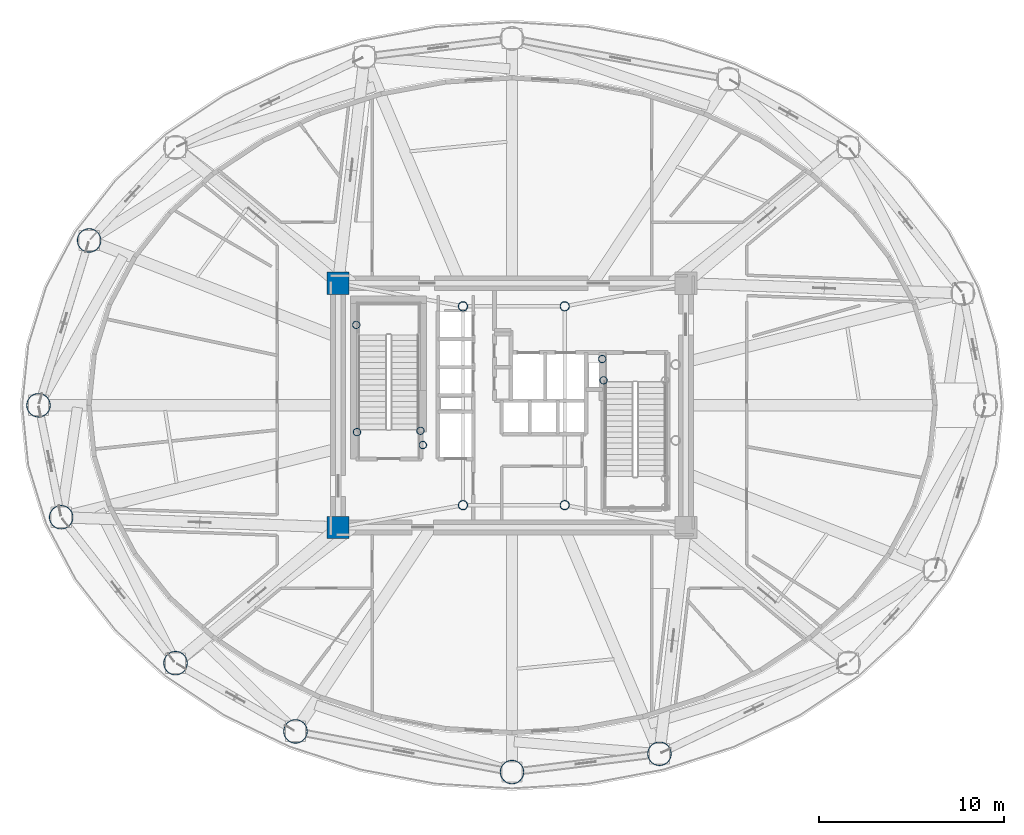
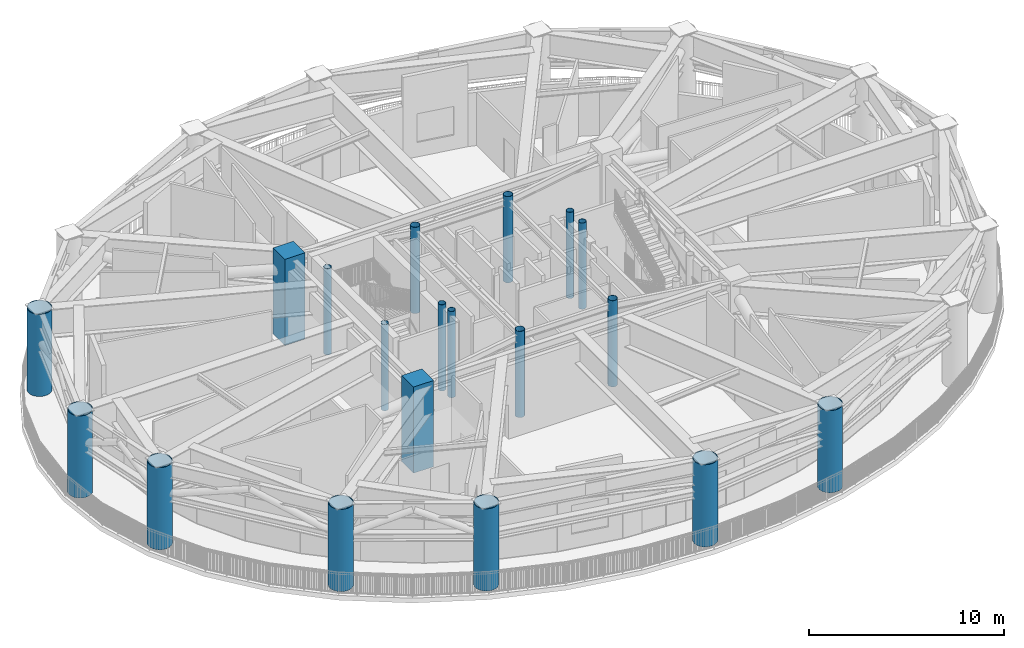
# One storey, part 1 of 20: 19 columns.
"""IFC4 building model written with IfcOpenShell, lengths in metres."""

from ifc_helpers import new_model, si_unit, direction, frame, origin, origin_2d, place, context, subcontext, project, spatial, rectangle, hollow_circle, extrude, material, material_profile, profile_set, type_object, element, save


model = new_model("IFC4")

# Units and contexts
model_context = context("Model", 3, precision=1e-05, world=origin(), true_north=direction((0.0, 1.0)))
body_context = subcontext(model_context, "Body", "Model", "MODEL_VIEW")
ifc_project = project(units=[si_unit("LENGTHUNIT", "METRE"), si_unit("AREAUNIT", "SQUARE_METRE"), si_unit("VOLUMEUNIT", "CUBIC_METRE"), si_unit("PLANEANGLEUNIT", "RADIAN"), si_unit("MASSUNIT", "GRAM", prefix="KILO")], contexts=[model_context])

# Site, building, storey
site_placement = place(None, origin())
site = spatial("IfcSite", under=ifc_project, at=site_placement, CompositionType="ELEMENT")
building_placement = place(site_placement, origin())
building = spatial("IfcBuilding", under=site, at=building_placement, Name="Linh Dai School and Residence Tower", CompositionType="ELEMENT")
storey_placement = place(building_placement, frame((0.0, 0.0, 204.89990234375)))
storey = spatial("IfcBuildingStorey", under=building, at=storey_placement, Name="L50", CompositionType="ELEMENT", Elevation=204.89990234375)

# Columns
ifc_material_1 = material(Name="Concrete B60 (C50/60)", Category="concrete")
ifc_material_profile_1 = material_profile(ifc_material_1, rectangle(XDim=1.199951171875, YDim=1.199951171875, at=origin_2d()), Name="RC 1200x1200")
ifc_profile_set_1 = profile_set([ifc_material_profile_1], Name="Concrete B60 (C50/60)")
column_type_1 = type_object("IfcColumnType", Name="COL-CC2", PredefinedType="COLUMN", material=ifc_profile_set_1)
for number, where, z_axis, x_axis, name in (
    (1, (26.60009765625, 20.39990234375, 0.0), (0.0, 0.0, 1.0), (1.0, 0.0, 0.0), "L50 Core Corner Pier CC1"),
    (2, (26.60009765625, 33.60009765625, 0.0), (0.0, 0.0, 1.0), (1.0, 0.0, 0.0), "L50 Core Corner Pier CC4"),
):
    element("IfcColumn", number, at=place(storey_placement, frame(where, z_axis=z_axis, x_axis=x_axis)), inside=storey, type_object=column_type_1, Name=name, PredefinedType="COLUMN", context=body_context, shape_type="SweptSolid", body=[
        extrude(rectangle(XDim=1.199951171875, YDim=1.199951171875, at=origin_2d()), origin(), (0.0, 0.0, 1.0), 5.400146484375),
    ])
ifc_material_2 = material(Name="Structural Steel S355JR", Category="steel")
ifc_material_profile_2 = material_profile(ifc_material_2, hollow_circle(Radius=0.203125, WallThickness=0.01611328125, at=origin_2d()), Name="CHS 406.4x16")
ifc_profile_set_2 = profile_set([ifc_material_profile_2], Name="Structural Steel S355JR")
column_type_2 = type_object("IfcColumnType", Name="COL-EC", PredefinedType="COLUMN", material=ifc_profile_set_2)
for number, where, z_axis, x_axis, name in (
    (3, (27.580078125, 31.35009765625, 0.0), (0.0, 0.0, 1.0), (1.0, 0.0, 0.0), "L50 Stair Shaft Landing Support Pier ST1NW"),
    (4, (31.050048828125, 25.6201171875, 0.0), (0.0, 0.0, 1.0), (1.0, 0.0, 0.0), "L50 Stair Shaft Landing Support Pier ST1SE"),
    (5, (31.179931640625, 24.85009765625, 0.0), (0.0, 0.0, 1.0), (1.0, 0.0, 0.0), "L50 Stair Shaft Landing Support Pier ST1SM"),
    (6, (27.6201171875, 25.550048828125, 0.0), (0.0, 0.0, 1.0), (1.0, 0.0, 0.0), "L50 Stair Shaft Landing Support Pier ST1SW"),
    (7, (40.949951171875, 28.35009765625, 0.0), (0.0, 0.0, 1.0), (1.0, 0.0, 0.0), "L50 Stair Shaft Landing Support Pier ST2N1"),
    (8, (40.8798828125, 29.5, 0.0), (0.0, 0.0, 1.0), (1.0, 0.0, 0.0), "L50 Stair Shaft Landing Support Pier ST2N3"),
):
    element("IfcColumn", number, at=place(storey_placement, frame(where, z_axis=z_axis, x_axis=x_axis)), inside=storey, type_object=column_type_2, Name=name, PredefinedType="COLUMN", context=body_context, shape_type="SweptSolid", body=[
        extrude(hollow_circle(Radius=0.203125, WallThickness=0.01611328125, at=origin_2d()), origin(), (0.0, 0.0, 1.0), 5.400146484375),
    ])
ifc_material_profile_3 = material_profile(ifc_material_2, hollow_circle(Radius=0.64990234375, WallThickness=0.0400390625, at=origin_2d()), Name="CHS 1300x40")
ifc_profile_set_3 = profile_set([ifc_material_profile_3], Name="Structural Steel S355JR")
column_type_3 = type_object("IfcColumnType", Name="COL-MC4", PredefinedType="COLUMN", material=ifc_profile_set_3)
for number, where, z_axis, x_axis, name in (
    (9, (13.137451171875, 35.9111328125, 0.0), (0.0, 0.0, 1.0), (1.0, 0.0, 0.0), "L50 Perimeter CFT Mega-Column MC08"),
    (10, (10.39990234375, 27.0, 0.0), (0.0, 0.0, 1.0), (1.0, 0.0, 0.0), "L50 Perimeter CFT Mega-Column MC09"),
    (11, (11.62548828125, 20.946533203125, 0.0), (0.0, 0.0, 1.0), (1.0, 0.0, 0.0), "L50 Perimeter CFT Mega-Column MC10"),
    (12, (17.8076171875, 13.058349609375, 0.0), (0.0, 0.0, 1.0), (1.0, 0.0, 0.0), "L50 Perimeter CFT Mega-Column MC11"),
    (13, (24.29443359375, 9.369140625, 0.0), (0.0, 0.0, 1.0), (1.0, 0.0, 0.0), "L50 Perimeter CFT Mega-Column MC12"),
    (14, (36.0, 7.169921875, 0.0), (0.0, 0.0, 1.0), (1.0, 0.0, 0.0), "L50 Perimeter CFT Mega-Column MC13"),
    (15, (43.973388671875, 8.15869140625, 0.0), (0.0, 0.0, 1.0), (1.0, 0.0, 0.0), "L50 Perimeter CFT Mega-Column MC14"),
):
    element("IfcColumn", number, at=place(storey_placement, frame(where, z_axis=z_axis, x_axis=x_axis)), inside=storey, type_object=column_type_3, Name=name, PredefinedType="COLUMN", context=body_context, shape_type="SweptSolid", body=[
        extrude(hollow_circle(Radius=0.64990234375, WallThickness=0.0400390625, at=origin_2d()), origin(), (0.0, 0.0, 1.0), 5.150146484375),
    ])
ifc_material_profile_4 = material_profile(ifc_material_2, hollow_circle(Radius=0.25390625, WallThickness=0.02001953125, at=origin_2d()), Name="CHS 508x20")
ifc_profile_set_4 = profile_set([ifc_material_profile_4], Name="Structural Steel S355JR")
column_type_4 = type_object("IfcColumnType", Name="COL-MCP", PredefinedType="COLUMN", material=ifc_profile_set_4)
for number, where, z_axis, x_axis, name in (
    (16, (33.35009765625, 21.60009765625, 0.0), (0.0, 0.0, 1.0), (1.0, 0.0, 0.0), "L50 Core Mast Support Pier MCP1"),
    (17, (38.85009765625, 21.60009765625, 0.0), (0.0, 0.0, 1.0), (1.0, 0.0, 0.0), "L50 Core Mast Support Pier MCP2"),
    (18, (38.85009765625, 32.35009765625, 0.0), (0.0, 0.0, 1.0), (1.0, 0.0, 0.0), "L50 Core Mast Support Pier MCP3"),
    (19, (33.35009765625, 32.35009765625, 0.0), (0.0, 0.0, 1.0), (1.0, 0.0, 0.0), "L50 Core Mast Support Pier MCP4"),
):
    element("IfcColumn", number, at=place(storey_placement, frame(where, z_axis=z_axis, x_axis=x_axis)), inside=storey, type_object=column_type_4, Name=name, PredefinedType="COLUMN", context=body_context, shape_type="SweptSolid", body=[
        extrude(hollow_circle(Radius=0.25390625, WallThickness=0.02001953125, at=origin_2d()), origin(), (0.0, 0.0, 1.0), 5.400146484375),
    ])

save(model, "model.ifc")
